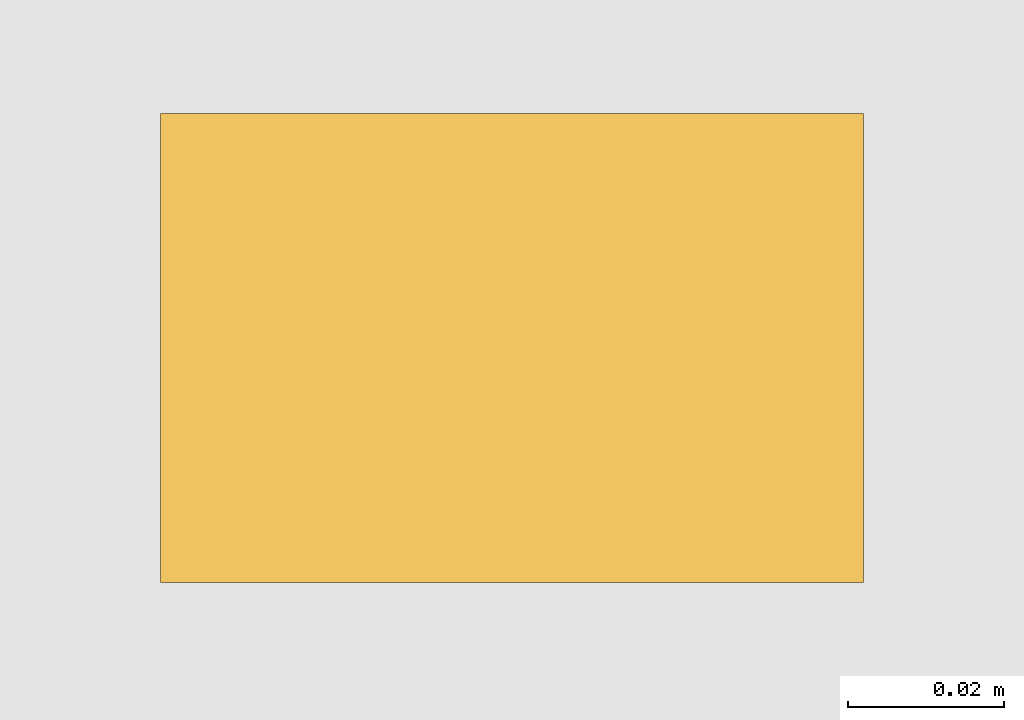
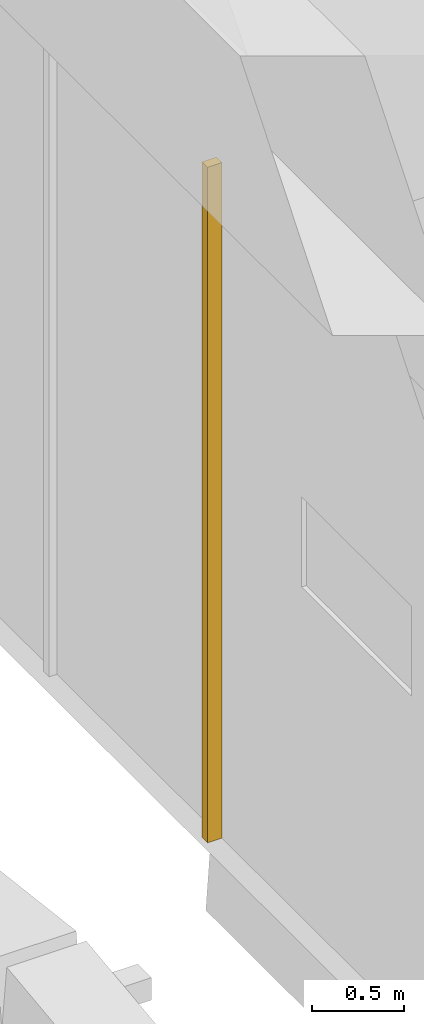
# One storey, part 21 of 38: 1 covering.
"""IFC4 building model written with IfcOpenShell, lengths in metres."""

from ifc_helpers import new_model, si_unit, direction, frame, origin, origin_2d, place, context, subcontext, project, spatial, rectangle, extrude, material, type_object, element, save


model = new_model("IFC4")

# Units and contexts
model_context = context("Model", 3, precision=1e-05, world=origin(), true_north=direction((0.0, 1.0)))
body_context = subcontext(model_context, "Body", "Model", "MODEL_VIEW")
ifc_project = project(units=[si_unit("LENGTHUNIT", "METRE"), si_unit("AREAUNIT", "SQUARE_METRE"), si_unit("VOLUMEUNIT", "CUBIC_METRE"), si_unit("PLANEANGLEUNIT", "RADIAN"), si_unit("MASSUNIT", "GRAM", prefix="KILO")], contexts=[model_context])

# Site, building, storey
site_placement = place(None, origin())
site = spatial("IfcSite", under=ifc_project, at=site_placement, CompositionType="ELEMENT")
building_placement = place(site_placement, origin())
building = spatial("IfcBuilding", under=site, at=building_placement, Name="Cobrizo Arcos Hotel Tower", CompositionType="ELEMENT")
storey_placement = place(building_placement, frame((0.0, 0.0, 138.0)))
storey = spatial("IfcBuildingStorey", under=building, at=storey_placement, Name="L35", CompositionType="ELEMENT", Elevation=138.0)

# Covering
ifc_material = material(Name="Aluminium 6063-T6 anodised pale", Category="aluminium")
covering_type = type_object("IfcCoveringType", Name="RS-1 rainscreen rib 60x90", PredefinedType="CLADDING", material=ifc_material)
covering_placement = place(storey_placement, frame((-23.14501953125, -0.89990234375, 0.0), z_axis=(0.0, 0.0, 1.0), x_axis=(0.0, -1.0, 0.0)))
element("IfcCovering", 1, at=covering_placement, inside=storey, type_object=covering_type, Name="Rainscreen rib 56", PredefinedType="CLADDING", context=body_context, shape_type="SweptSolid", body=[
    extrude(rectangle(XDim=0.06005859375, YDim=0.090087890625, at=origin_2d()), origin(), (0.0, 0.0, 1.0), 4.5),
])

save(model, "model.ifc")
